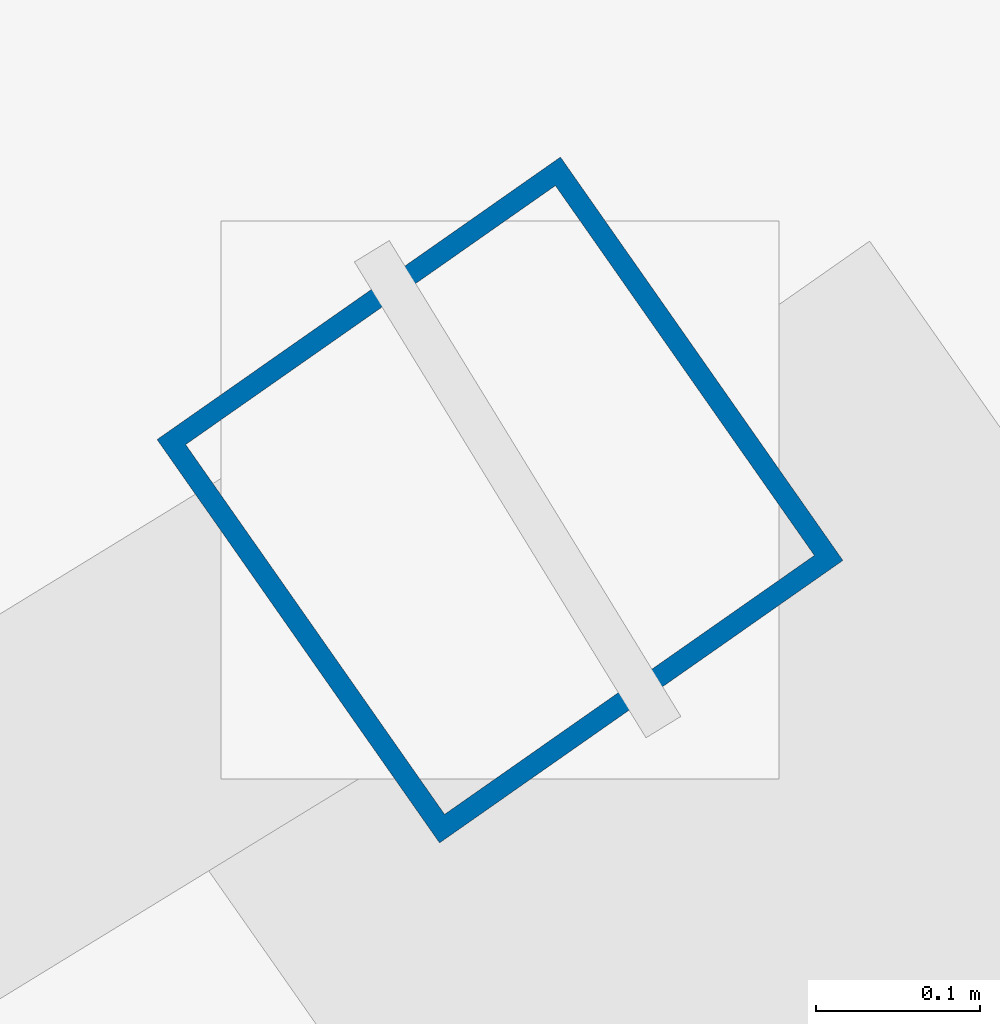
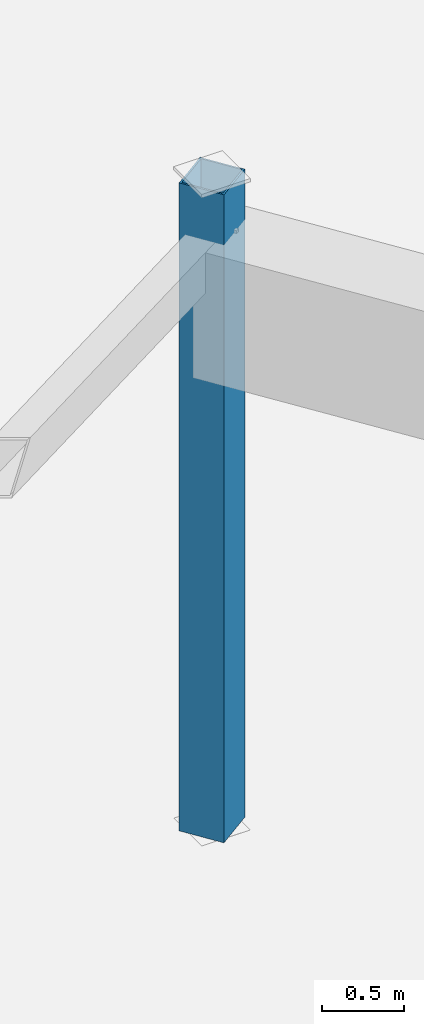
# One storey, part 12 of 186: 1 column.
"""IFC4 building model written with IfcOpenShell, lengths in metres."""

from ifc_helpers import new_model, si_unit, direction, frame, origin, origin_2d, place, context, subcontext, project, spatial, hollow_rectangle, extrude, material, material_profile, profile_set, type_object, element, save


model = new_model("IFC4")

# Units and contexts
model_context = context("Model", 3, precision=1e-05, world=origin(), true_north=direction((0.0, 1.0)))
body_context = subcontext(model_context, "Body", "Model", "MODEL_VIEW")
ifc_project = project(units=[si_unit("LENGTHUNIT", "METRE"), si_unit("AREAUNIT", "SQUARE_METRE"), si_unit("VOLUMEUNIT", "CUBIC_METRE"), si_unit("PLANEANGLEUNIT", "RADIAN"), si_unit("MASSUNIT", "GRAM", prefix="KILO")], contexts=[model_context])

# Site, building, storey
site_placement = place(None, origin())
site = spatial("IfcSite", under=ifc_project, at=site_placement, CompositionType="ELEMENT")
building_placement = place(site_placement, origin())
building = spatial("IfcBuilding", under=site, at=building_placement, Name="Tarnwether General Hospital", CompositionType="ELEMENT")
storey_placement = place(building_placement, frame((0.0, 0.0, 9.60009765625)))
storey = spatial("IfcBuildingStorey", under=building, at=storey_placement, Name="L02", CompositionType="ELEMENT", Elevation=9.60009765625)

# Column
ifc_material = material(Name="Steel Grade C350L0 (350 MPa)", Category="steel")
ifc_material_profile = material_profile(ifc_material, hollow_rectangle(XDim=0.300048828125, YDim=0.300048828125, WallThickness=0.012451171875, at=origin_2d()), Name="SHS300x300x12.5")
ifc_profile_set = profile_set([ifc_material_profile], Name="Steel Grade C350L0 (350 MPa)")
column_type = type_object("IfcColumnType", Name="COL-30", PredefinedType="COLUMN", material=ifc_profile_set)
column_placement = place(storey_placement, frame((117.696044921875, 26.302001953125, 0.0), z_axis=(0.0, 0.0, 1.0), x_axis=(-0.573576436351, 0.819152044289, 0.0)))
element("IfcColumn", 1, at=column_placement, inside=storey, type_object=column_type, Name="Column COLG-L02-11770_2630", PredefinedType="COLUMN", context=body_context, shape_type="SweptSolid", body=[
    extrude(hollow_rectangle(XDim=0.300048828125, YDim=0.300048828125, WallThickness=0.012451171875, at=origin_2d()), origin(), (0.0, 0.0, 1.0), 4.7998046875),
])

save(model, "model.ifc")
